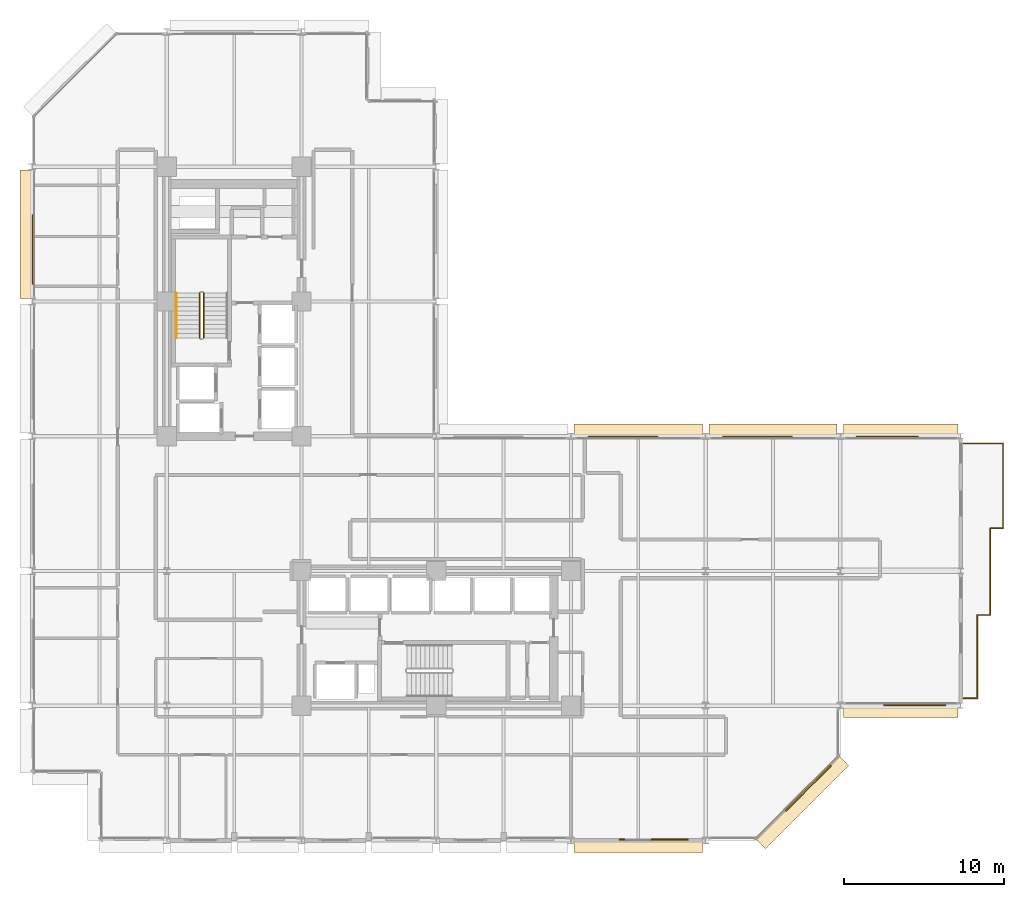
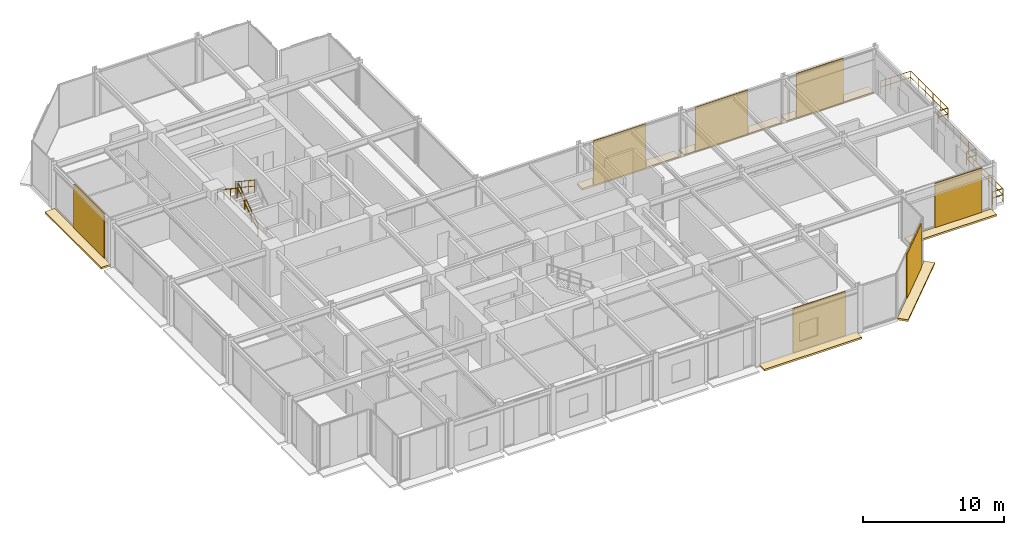
# One storey, part 38 of 39: 14 coverings, 10 railings.
"""IFC4 building model written with IfcOpenShell, lengths in metres."""

import ifcopenshell
import ifcopenshell.guid

model = None  # the IFC model being written
_history = None  # IfcOwnerHistory: only IFC2X3 demands one
_inside = {}  # id of a spatial element -> (the spatial element, [elements in it])
_under = {}  # id of a project, library or spatial element -> (it, [spatial elements below it])
_declared = {}  # id of a project -> (the project, [libraries it declares])
_typed = {}  # id of a type object -> (the type object, [elements of that type])
_made_of = {}  # id of a material, layer set ... -> (it, [elements and type objects made of it])


def new_model(schema):
    """Start an empty IFC model of exactly this schema.

    Asked for "IFC4X3", IfcOpenShell would pick the latest addendum, in which some entities
    have other attributes; the version numbers below select the first issue.
    IFC2X3 requires an IfcOwnerHistory on every rooted entity: one is made here for all.
    """
    global model, _history
    if schema == "IFC4X3":
        model = ifcopenshell.file(schema_version=(4, 3, 0, 0))
    else:
        model = ifcopenshell.file(schema=schema)
    _inside.clear()
    _under.clear()
    _declared.clear()
    _typed.clear()
    _made_of.clear()
    _history = None
    if model.schema == "IFC2X3":
        org = make("IfcOrganization", Name="unknown")
        user = make(
            "IfcPersonAndOrganization",
            ThePerson=make("IfcPerson", FamilyName="unknown"),
            TheOrganization=org,
        )
        app = make(
            "IfcApplication",
            ApplicationDeveloper=org,
            Version="unknown",
            ApplicationFullName="unknown",
            ApplicationIdentifier="unknown",
        )
        _history = make(
            "IfcOwnerHistory",
            OwningUser=user,
            OwningApplication=app,
            ChangeAction="ADDED",
            CreationDate=0,
        )
    return model


def make(cls, **values):
    """One entity of the class cls with the attributes given. An attribute that is None is left unset."""
    return model.create_entity(
        cls, **{name: value for name, value in values.items() if value is not None}
    )


def rooted(cls, **values):
    """An entity with a GlobalId (a new one), such as an element, a storey or a relation."""
    return make(cls, GlobalId=ifcopenshell.guid.new(), OwnerHistory=_history, **values)


def si_unit(unit_type, name, prefix=None):
    """IfcSIUnit, for example si_unit("LENGTHUNIT", "METRE", prefix="MILLI")."""
    return make("IfcSIUnit", UnitType=unit_type, Prefix=prefix, Name=name)


def assignment(units):
    """IfcUnitAssignment: the units of a project."""
    return None if units is None else make("IfcUnitAssignment", Units=units)


def point(xyz):
    """IfcCartesianPoint."""
    return None if xyz is None else make("IfcCartesianPoint", Coordinates=xyz)


def direction(xyz):
    """IfcDirection."""
    return None if xyz is None else make("IfcDirection", DirectionRatios=xyz)


def frame(location, z_axis=None, x_axis=None):
    """IfcAxis2Placement3D, a coordinate frame: its origin and axes. An axis left out is left unset."""
    return make(
        "IfcAxis2Placement3D",
        Location=point(location),
        Axis=direction(z_axis),
        RefDirection=direction(x_axis),
    )


def frame_2d(location, x_axis=None):
    """IfcAxis2Placement2D, a coordinate frame in the plane: its origin and x axis."""
    return make(
        "IfcAxis2Placement2D", Location=point(location), RefDirection=direction(x_axis)
    )


def origin():
    """The frame at (0, 0, 0) with its axes left unset."""
    return frame((0.0, 0.0, 0.0))


def origin_2d():
    """The frame at (0, 0) in the plane with its x axis left unset."""
    return frame_2d((0.0, 0.0))


def place(relative_to, where):
    """IfcLocalPlacement: puts the frame where relative to a parent placement (None: the world)."""
    return make(
        "IfcLocalPlacement", PlacementRelTo=relative_to, RelativePlacement=where
    )


def context(
    kind, dimensions, precision=None, world=None, true_north=None, identifier=None
):
    """IfcGeometricRepresentationContext, for example the 3D "Model" context."""
    return make(
        "IfcGeometricRepresentationContext",
        ContextIdentifier=identifier,
        ContextType=kind,
        CoordinateSpaceDimension=dimensions,
        Precision=precision,
        WorldCoordinateSystem=world,
        TrueNorth=true_north,
    )


def subcontext(parent, identifier, kind, view, scale=None):
    """IfcGeometricRepresentationSubContext, for example "Body" below "Model"."""
    return make(
        "IfcGeometricRepresentationSubContext",
        ContextIdentifier=identifier,
        ContextType=kind,
        ParentContext=parent,
        TargetScale=scale,
        TargetView=view,
    )


def project(units=None, contexts=None):
    """IfcProject with its units and contexts."""
    return rooted(
        "IfcProject",
        Name="project",
        RepresentationContexts=contexts,
        UnitsInContext=assignment(units),
    )


def spatial(cls, under=None, at=None, **own):
    """A site, building, storey or space (cls), placed at a placement, below another one or the project."""
    s = rooted(cls, ObjectPlacement=at, **own)
    if under is not None:
        _under.setdefault(under.id(), (under, []))[1].append(s)
    return s


def polyline(points):
    """IfcPolyline through the points."""
    return make("IfcPolyline", Points=[point(p) for p in points])


def profile(cls, at=None, kind="AREA", **sizes):
    """A parametric profile (cls). Its sizes go by their IFC names, for example OverallWidth=200.0."""
    return make(cls, ProfileType=kind, Position=at, **sizes)


def rectangle(**sizes):
    """IfcRectangleProfileDef."""
    return profile("IfcRectangleProfileDef", **sizes)


def circle(**sizes):
    """IfcCircleProfileDef."""
    return profile("IfcCircleProfileDef", **sizes)


def outline(outer, holes=None, kind="AREA"):
    """IfcArbitraryClosedProfileDef: a profile drawn as a closed curve; with holes, ...WithVoids."""
    if holes is None:
        return make("IfcArbitraryClosedProfileDef", ProfileType=kind, OuterCurve=outer)
    return make(
        "IfcArbitraryProfileDefWithVoids",
        ProfileType=kind,
        OuterCurve=outer,
        InnerCurves=holes,
    )


def extrude(swept, where, along, depth):
    """IfcExtrudedAreaSolid: the profile swept, set in the frame where, extruded along a direction by depth."""
    return make(
        "IfcExtrudedAreaSolid",
        SweptArea=swept,
        Position=where,
        ExtrudedDirection=direction(along),
        Depth=depth,
    )


def shape(context_of_items, identifier, shape_type, items):
    """IfcShapeRepresentation: the items that make up one representation, for example the "Body"."""
    return make(
        "IfcShapeRepresentation",
        ContextOfItems=context_of_items,
        RepresentationIdentifier=identifier,
        RepresentationType=shape_type,
        Items=items,
    )


def material(Name=None, Category=None):
    """IfcMaterial."""
    return make("IfcMaterial", Name=Name, Category=Category)


def layer(
    of_material, thickness, ventilated=None, Name=None, Category=None, Priority=None
):
    """IfcMaterialLayer: one layer of a wall or slab, of a material (None: an air gap)."""
    return make(
        "IfcMaterialLayer",
        Material=of_material,
        LayerThickness=thickness,
        IsVentilated=ventilated,
        Name=Name,
        Category=Category,
        Priority=Priority,
    )


def layer_set(layers, Name=None):
    """IfcMaterialLayerSet."""
    return make("IfcMaterialLayerSet", MaterialLayers=layers, LayerSetName=Name)


def made_of(thing, what):
    """Note that an element or type object is made of a material, layer set ...; save() writes the relation."""
    if what is not None:
        _made_of.setdefault(what.id(), (what, []))[1].append(thing)
    return thing


def type_object(cls, material=None, **own):
    """A type object (cls), such as IfcWallType, which elements share."""
    return made_of(rooted(cls, **own), material)


def element(
    cls,
    number,
    at=None,
    inside=None,
    cuts=None,
    type_object=None,
    material=None,
    context=None,
    identifier="Body",
    shape_type=None,
    held_by="IfcProductDefinitionShape",
    body=None,
    shapes=None,
    **own,
):
    """One element of the class cls, such as IfcWall. Its Tag is "e" and its number.

    at: its placement. inside: the storey or other place that contains it. cuts: it is an
    opening in that element (IfcRelVoidsElement). A single representation is given by context,
    identifier, shape_type and body (its items); several are given by shapes. held_by: the class
    of the entity that holds the representations. save() writes the other relations.
    """
    e = rooted(cls, Tag="e%d" % number, ObjectPlacement=at, **own)
    if body is not None:
        shapes = [shape(context, identifier, shape_type, body)]
    if shapes is not None:
        e.Representation = make(held_by, Representations=shapes)
    if inside is not None:
        _inside.setdefault(inside.id(), (inside, []))[1].append(e)
    if cuts is not None:
        rooted(
            "IfcRelVoidsElement", RelatingBuildingElement=cuts, RelatedOpeningElement=e
        )
    if type_object is not None:
        _typed.setdefault(type_object.id(), (type_object, []))[1].append(e)
    return made_of(e, material)


def aggregate(whole, parts):
    """IfcRelAggregates: a whole, such as a stair, and the parts it consists of."""
    return rooted("IfcRelAggregates", RelatingObject=whole, RelatedObjects=parts)


def save(model, path):
    """Write the relations noted so far, then the file.

    IfcRelAggregates (storeys below a building ...), IfcRelContainedInSpatialStructure (elements
    in a storey), IfcRelDefinesByType, IfcRelAssociatesMaterial and IfcRelDeclares: one each for
    every whole, place, type object, material and project.
    """
    for whole, parts in _under.values():
        aggregate(whole, parts)
    for where, things in _inside.values():
        rooted(
            "IfcRelContainedInSpatialStructure",
            RelatedElements=things,
            RelatingStructure=where,
        )
    for kind, things in _typed.values():
        rooted("IfcRelDefinesByType", RelatedObjects=things, RelatingType=kind)
    for what, things in _made_of.values():
        rooted("IfcRelAssociatesMaterial", RelatedObjects=things, RelatingMaterial=what)
    for by, libraries in _declared.values():
        rooted("IfcRelDeclares", RelatingContext=by, RelatedDefinitions=libraries)
    model.write(path)


model = new_model("IFC4")

# Units and contexts
model_context = context("Model", 3, precision=1e-05, world=origin(), true_north=direction((0.0, 1.0)))
body_context = subcontext(model_context, "Body", "Model", "MODEL_VIEW")
ifc_project = project(units=[si_unit("LENGTHUNIT", "METRE"), si_unit("AREAUNIT", "SQUARE_METRE"), si_unit("VOLUMEUNIT", "CUBIC_METRE"), si_unit("PLANEANGLEUNIT", "RADIAN"), si_unit("MASSUNIT", "GRAM", prefix="KILO")], contexts=[model_context])

# Site, building, storey
site_placement = place(None, origin())
site = spatial("IfcSite", under=ifc_project, at=site_placement, CompositionType="ELEMENT")
building_placement = place(site_placement, origin())
building = spatial("IfcBuilding", under=site, at=building_placement, Name="Nerrivon Quay Data Exchange", CompositionType="ELEMENT")
storey_placement = place(building_placement, frame((0.0, 0.0, 104.89990234375)))
storey = spatial("IfcBuildingStorey", under=building, at=storey_placement, Name="L24", CompositionType="ELEMENT", Elevation=104.89990234375)

# Coverings
ifc_material_1 = material(Name="Architectural terracotta ceramic", Category="masonry")
ifc_layer_1 = layer(ifc_material_1, 0.159912109375)
ifc_layer_set_1 = layer_set([ifc_layer_1], Name="Architectural terracotta ceramic")
covering_type_1 = type_object("IfcCoveringType", Name="COV-BLD-TERR", PredefinedType="CLADDING", material=ifc_layer_set_1)
covering_1_placement = place(storey_placement, frame((0.0, 0.0, -0.159912109375)))
element("IfcCovering", 1, at=covering_1_placement, inside=storey, type_object=covering_type_1, Name="L24 Horizontal Terracotta SOLAR SCREEN Blade", PredefinedType="CLADDING", context=body_context, shape_type="SweptSolid", body=[
    extrude(outline(polyline([(57.744384765625, 8.43994140625), (50.60009765625, 8.43994140625), (50.60009765625, 7.64990234375), (57.744384765625, 7.64990234375), (57.744384765625, 8.43994140625)])), origin(), (0.0, 0.0, 1.0), 0.159912109375),
])
covering_2_placement = place(storey_placement, frame((0.0, 0.0, -0.159912109375)))
element("IfcCovering", 2, at=covering_2_placement, inside=storey, type_object=covering_type_1, Name="L24 Horizontal Terracotta SOLAR SCREEN Blade", PredefinedType="CLADDING", context=body_context, shape_type="SweptSolid", body=[
    extrude(outline(polyline([(50.37158203125, 5.228271484375), (45.171630859375, 0.0283203125), (45.730224609375, -0.5302734375), (50.930419921875, 4.669677734375), (50.37158203125, 5.228271484375)])), origin(), (0.0, 0.0, 1.0), 0.159912109375),
])
covering_3_placement = place(storey_placement, frame((0.0, 0.0, -0.159912109375)))
element("IfcCovering", 3, at=covering_3_placement, inside=storey, type_object=covering_type_1, Name="L24 Horizontal Terracotta SOLAR SCREEN Blade", PredefinedType="CLADDING", context=body_context, shape_type="SweptSolid", body=[
    extrude(outline(polyline([(41.800048828125, 0.0400390625), (33.800048828125, 0.0400390625), (33.800048828125, -0.75), (41.800048828125, -0.75), (41.800048828125, 0.0400390625)])), origin(), (0.0, 0.0, 1.0), 0.159912109375),
])
covering_4_placement = place(storey_placement, frame((0.0, 0.0, -0.159912109375)))
element("IfcCovering", 4, at=covering_4_placement, inside=storey, type_object=covering_type_1, Name="L24 Horizontal Terracotta SOLAR SCREEN Blade", PredefinedType="CLADDING", context=body_context, shape_type="SweptSolid", body=[
    extrude(outline(polyline([(0.0400390625, 33.800048828125), (0.0400390625, 41.800048828125), (-0.75, 41.800048828125), (-0.75, 33.800048828125), (0.0400390625, 33.800048828125)])), origin(), (0.0, 0.0, 1.0), 0.159912109375),
])
covering_5_placement = place(storey_placement, frame((0.0, 0.0, -0.159912109375)))
element("IfcCovering", 5, at=covering_5_placement, inside=storey, type_object=covering_type_1, Name="L24 Horizontal Terracotta SOLAR SCREEN Blade", PredefinedType="CLADDING", context=body_context, shape_type="SweptSolid", body=[
    extrude(outline(polyline([(33.800048828125, 25.159912109375), (41.800048828125, 25.159912109375), (41.800048828125, 25.949951171875), (33.800048828125, 25.949951171875), (33.800048828125, 25.159912109375)])), origin(), (0.0, 0.0, 1.0), 0.159912109375),
])
covering_6_placement = place(storey_placement, frame((0.0, 0.0, -0.159912109375)))
element("IfcCovering", 6, at=covering_6_placement, inside=storey, type_object=covering_type_1, Name="L24 Horizontal Terracotta SOLAR SCREEN Blade", PredefinedType="CLADDING", context=body_context, shape_type="SweptSolid", body=[
    extrude(outline(polyline([(42.199951171875, 25.159912109375), (50.199951171875, 25.159912109375), (50.199951171875, 25.949951171875), (42.199951171875, 25.949951171875), (42.199951171875, 25.159912109375)])), origin(), (0.0, 0.0, 1.0), 0.159912109375),
])
covering_7_placement = place(storey_placement, frame((0.0, 0.0, -0.159912109375)))
element("IfcCovering", 7, at=covering_7_placement, inside=storey, type_object=covering_type_1, Name="L24 Horizontal Terracotta SOLAR SCREEN Blade", PredefinedType="CLADDING", context=body_context, shape_type="SweptSolid", body=[
    extrude(outline(polyline([(50.60009765625, 25.159912109375), (57.744384765625, 25.159912109375), (57.744384765625, 25.949951171875), (50.60009765625, 25.949951171875), (50.60009765625, 25.159912109375)])), origin(), (0.0, 0.0, 1.0), 0.159912109375),
])
ifc_layer_2 = layer(ifc_material_1, 0.090087890625)
ifc_layer_set_2 = layer_set([ifc_layer_2], Name="Architectural terracotta ceramic")
covering_type_2 = type_object("IfcCoveringType", Name="COV-SCR-TERR", PredefinedType="CLADDING", material=ifc_layer_set_2)
covering_8_placement = place(storey_placement, frame((55.029541015625, 8.445068359375, 0.0), z_axis=(0.0, 0.0, 1.0), x_axis=(-1.0, 0.0, 0.0)))
element("IfcCovering", 8, at=covering_8_placement, inside=storey, type_object=covering_type_2, Name="L24 Perforated Terracotta SOLAR SCREEN Cassette", PredefinedType="CLADDING", context=body_context, shape_type="SweptSolid", body=[
    extrude(rectangle(XDim=3.85791015625, YDim=0.090087890625, at=origin_2d()), origin(), (0.0, 0.0, 1.0), 3.824951171875),
])
covering_9_placement = place(storey_placement, frame((48.39208984375, 3.255859375, 0.0), z_axis=(0.0, 0.0, 1.0), x_axis=(-0.707106781187, -0.707106781187, 0.0)))
element("IfcCovering", 9, at=covering_9_placement, inside=storey, type_object=covering_type_2, Name="L24 Perforated Terracotta SOLAR SCREEN Cassette", PredefinedType="CLADDING", context=body_context, shape_type="SweptSolid", body=[
    extrude(rectangle(XDim=3.970947265625, YDim=0.090087890625, at=origin_2d()), origin(), (0.0, 0.0, 1.0), 3.824951171875),
])
for number, where, z_axis, x_axis, name in (
    (10, (38.760009765625, 0.044921875, 0.0), (0.0, 0.0, 1.0), (-1.0, 0.0, 0.0), "L24 Perforated Terracotta SOLAR SCREEN Cassette"),
    (11, (0.044921875, 36.840087890625, 0.0), (0.0, 0.0, 1.0), (0.0, 1.0, 0.0), "L24 Perforated Terracotta SOLAR SCREEN Cassette"),
    (12, (36.840087890625, 25.155029296875, 0.0), (0.0, 0.0, 1.0), (1.0, 0.0, 0.0), "L24 Perforated Terracotta SOLAR SCREEN Cassette"),
    (13, (45.239990234375, 25.155029296875, 0.0), (0.0, 0.0, 1.0), (1.0, 0.0, 0.0), "L24 Perforated Terracotta SOLAR SCREEN Cassette"),
):
    element("IfcCovering", number, at=place(storey_placement, frame(where, z_axis=z_axis, x_axis=x_axis)), inside=storey, type_object=covering_type_2, Name=name, PredefinedType="CLADDING", context=body_context, shape_type="SweptSolid", body=[
        extrude(rectangle(XDim=4.320068359375, YDim=0.090087890625, at=origin_2d()), origin(), (0.0, 0.0, 1.0), 3.824951171875),
    ])
covering_10_placement = place(storey_placement, frame((53.31494140625, 25.155029296875, 0.0), z_axis=(0.0, 0.0, 1.0), x_axis=(1.0, 0.0, 0.0)))
element("IfcCovering", 14, at=covering_10_placement, inside=storey, type_object=covering_type_2, Name="L24 Perforated Terracotta SOLAR SCREEN Cassette", PredefinedType="CLADDING", context=body_context, shape_type="SweptSolid", body=[
    extrude(rectangle(XDim=3.85791015625, YDim=0.090087890625, at=origin_2d()), origin(), (0.0, 0.0, 1.0), 3.824951171875),
])

# Railings
ifc_material_2 = material(Name="Steel Grade C350L0 (350 MPa)", Category="steel")
railing_type_1 = type_object("IfcRailingType", Name="RAIL-GUARD-GR2", PredefinedType="BALUSTRADE", material=ifc_material_2)
railing_1_placement = place(storey_placement, frame((58.93994140625, 14.06005859375, 0.0)))
element("IfcRailing", 15, at=railing_1_placement, inside=storey, type_object=railing_type_1, Name="L24 Verandah Balcony Guard 1.1 1", PredefinedType="BALUSTRADE", context=body_context, shape_type="SweptSolid", body=[
    extrude(circle(Radius=0.02392578125, at=origin_2d()), frame((0.0, 0.0, 1.09619140625), z_axis=(0.0, -1.0, 0.0), x_axis=(1.0, 0.0, 0.0)), (0.0, 0.0, 1.0), 5.199951171875),
    extrude(circle(Radius=0.02392578125, at=origin_2d()), frame((0.0, 0.0, 0.56005859375), z_axis=(0.0, -1.0, 0.0), x_axis=(1.0, 0.0, 0.0)), (0.0, 0.0, 1.0), 5.199951171875),
    extrude(circle(Radius=0.02099609375, at=origin_2d()), origin(), (0.0, 0.0, 1.0), 1.072021484375),
    extrude(circle(Radius=0.02099609375, at=origin_2d()), frame((0.0, -1.0400390625, 0.0)), (0.0, 0.0, 1.0), 1.072021484375),
    extrude(circle(Radius=0.02099609375, at=origin_2d()), frame((0.0, -2.080078125, 0.0)), (0.0, 0.0, 1.0), 1.072021484375),
    extrude(circle(Radius=0.02099609375, at=origin_2d()), frame((0.0, -3.119873046875, 0.0)), (0.0, 0.0, 1.0), 1.072021484375),
    extrude(circle(Radius=0.02099609375, at=origin_2d()), frame((0.0, -4.159912109375, 0.0)), (0.0, 0.0, 1.0), 1.072021484375),
    extrude(circle(Radius=0.02099609375, at=origin_2d()), frame((0.0, -5.199951171875, 0.0)), (0.0, 0.0, 1.0), 1.072021484375),
])
railing_2_placement = place(storey_placement, frame((58.93994140625, 8.860107421875, 0.0)))
element("IfcRailing", 16, at=railing_2_placement, inside=storey, type_object=railing_type_1, Name="L24 Verandah Balcony Guard 1.2 1", PredefinedType="BALUSTRADE", context=body_context, shape_type="SweptSolid", body=[
    extrude(circle(Radius=0.02392578125, at=origin_2d()), frame((0.0, 0.0, 1.09619140625), z_axis=(-1.0, 0.0, 0.0), x_axis=(0.0, -1.0, 0.0)), (0.0, 0.0, 1.0), 0.85986328125),
    extrude(circle(Radius=0.02392578125, at=origin_2d()), frame((0.0, 0.0, 0.56005859375), z_axis=(-1.0, 0.0, 0.0), x_axis=(0.0, -1.0, 0.0)), (0.0, 0.0, 1.0), 0.85986328125),
    extrude(circle(Radius=0.02099609375, at=origin_2d()), origin(), (0.0, 0.0, 1.0), 1.072021484375),
    extrude(circle(Radius=0.02099609375, at=origin_2d()), frame((-0.85986328125, 0.0, 0.0)), (0.0, 0.0, 1.0), 1.072021484375),
])
railing_3_placement = place(storey_placement, frame((58.080078125, 24.739990234375, 0.0)))
element("IfcRailing", 17, at=railing_3_placement, inside=storey, type_object=railing_type_1, Name="L24 Verandah Balcony Guard 1.3 1", PredefinedType="BALUSTRADE", context=body_context, shape_type="SweptSolid", body=[
    extrude(circle(Radius=0.02392578125, at=origin_2d()), frame((0.0, 0.0, 1.09619140625), z_axis=(1.0, 0.0, 0.0), x_axis=(0.0, 1.0, 0.0)), (0.0, 0.0, 1.0), 2.4599609375),
    extrude(circle(Radius=0.02392578125, at=origin_2d()), frame((0.0, 0.0, 0.56005859375), z_axis=(1.0, 0.0, 0.0), x_axis=(0.0, 1.0, 0.0)), (0.0, 0.0, 1.0), 2.4599609375),
    extrude(circle(Radius=0.02099609375, at=origin_2d()), origin(), (0.0, 0.0, 1.0), 1.072021484375),
    extrude(circle(Radius=0.02099609375, at=origin_2d()), frame((0.820068359375, 0.0, 0.0)), (0.0, 0.0, 1.0), 1.072021484375),
    extrude(circle(Radius=0.02099609375, at=origin_2d()), frame((1.639892578125, 0.0, 0.0)), (0.0, 0.0, 1.0), 1.072021484375),
    extrude(circle(Radius=0.02099609375, at=origin_2d()), frame((2.4599609375, 0.0, 0.0)), (0.0, 0.0, 1.0), 1.072021484375),
])
railing_4_placement = place(storey_placement, frame((60.5400390625, 24.739990234375, 0.0)))
element("IfcRailing", 18, at=railing_4_placement, inside=storey, type_object=railing_type_1, Name="L24 Verandah Balcony Guard 1.4 1", PredefinedType="BALUSTRADE", context=body_context, shape_type="SweptSolid", body=[
    extrude(circle(Radius=0.02392578125, at=origin_2d()), frame((0.0, 0.0, 1.09619140625), z_axis=(0.0, -1.0, 0.0), x_axis=(1.0, 0.0, 0.0)), (0.0, 0.0, 1.0), 5.280029296875),
    extrude(circle(Radius=0.02392578125, at=origin_2d()), frame((0.0, 0.0, 0.56005859375), z_axis=(0.0, -1.0, 0.0), x_axis=(1.0, 0.0, 0.0)), (0.0, 0.0, 1.0), 5.280029296875),
    extrude(circle(Radius=0.02099609375, at=origin_2d()), origin(), (0.0, 0.0, 1.0), 1.072021484375),
    extrude(circle(Radius=0.02099609375, at=origin_2d()), frame((0.0, -1.055908203125, 0.0)), (0.0, 0.0, 1.0), 1.072021484375),
    extrude(circle(Radius=0.02099609375, at=origin_2d()), frame((0.0, -2.112060546875, 0.0)), (0.0, 0.0, 1.0), 1.072021484375),
    extrude(circle(Radius=0.02099609375, at=origin_2d()), frame((0.0, -3.16796875, 0.0)), (0.0, 0.0, 1.0), 1.072021484375),
    extrude(circle(Radius=0.02099609375, at=origin_2d()), frame((0.0, -4.22412109375, 0.0)), (0.0, 0.0, 1.0), 1.072021484375),
    extrude(circle(Radius=0.02099609375, at=origin_2d()), frame((0.0, -5.280029296875, 0.0)), (0.0, 0.0, 1.0), 1.072021484375),
])
railing_5_placement = place(storey_placement, frame((60.5400390625, 19.4599609375, 0.0)))
element("IfcRailing", 19, at=railing_5_placement, inside=storey, type_object=railing_type_1, Name="L24 Verandah Balcony Guard 1.5 1", PredefinedType="BALUSTRADE", context=body_context, shape_type="SweptSolid", body=[
    extrude(circle(Radius=0.02392578125, at=origin_2d()), frame((0.0, 0.0, 1.09619140625), z_axis=(-1.0, 0.0, 0.0), x_axis=(0.0, -1.0, 0.0)), (0.0, 0.0, 1.0), 0.800048828125),
    extrude(circle(Radius=0.02392578125, at=origin_2d()), frame((0.0, 0.0, 0.56005859375), z_axis=(-1.0, 0.0, 0.0), x_axis=(0.0, -1.0, 0.0)), (0.0, 0.0, 1.0), 0.800048828125),
    extrude(circle(Radius=0.02099609375, at=origin_2d()), origin(), (0.0, 0.0, 1.0), 1.072021484375),
    extrude(circle(Radius=0.02099609375, at=origin_2d()), frame((-0.800048828125, 0.0, 0.0)), (0.0, 0.0, 1.0), 1.072021484375),
])
railing_6_placement = place(storey_placement, frame((59.739990234375, 19.4599609375, 0.0)))
element("IfcRailing", 20, at=railing_6_placement, inside=storey, type_object=railing_type_1, Name="L24 Verandah Balcony Guard 1.6 1", PredefinedType="BALUSTRADE", context=body_context, shape_type="SweptSolid", body=[
    extrude(circle(Radius=0.02392578125, at=origin_2d()), frame((0.0, 0.0, 1.09619140625), z_axis=(0.0, -1.0, 0.0), x_axis=(1.0, 0.0, 0.0)), (0.0, 0.0, 1.0), 5.39990234375),
    extrude(circle(Radius=0.02392578125, at=origin_2d()), frame((0.0, 0.0, 0.56005859375), z_axis=(0.0, -1.0, 0.0), x_axis=(1.0, 0.0, 0.0)), (0.0, 0.0, 1.0), 5.39990234375),
    extrude(circle(Radius=0.02099609375, at=origin_2d()), origin(), (0.0, 0.0, 1.0), 1.072021484375),
    extrude(circle(Radius=0.02099609375, at=origin_2d()), frame((0.0, -1.080078125, 0.0)), (0.0, 0.0, 1.0), 1.072021484375),
    extrude(circle(Radius=0.02099609375, at=origin_2d()), frame((0.0, -2.159912109375, 0.0)), (0.0, 0.0, 1.0), 1.072021484375),
    extrude(circle(Radius=0.02099609375, at=origin_2d()), frame((0.0, -3.239990234375, 0.0)), (0.0, 0.0, 1.0), 1.072021484375),
    extrude(circle(Radius=0.02099609375, at=origin_2d()), frame((0.0, -4.31982421875, 0.0)), (0.0, 0.0, 1.0), 1.072021484375),
    extrude(circle(Radius=0.02099609375, at=origin_2d()), frame((0.0, -5.39990234375, 0.0)), (0.0, 0.0, 1.0), 1.072021484375),
])
railing_7_placement = place(storey_placement, frame((59.739990234375, 14.06005859375, 0.0)))
element("IfcRailing", 21, at=railing_7_placement, inside=storey, type_object=railing_type_1, Name="L24 Verandah Balcony Guard 1.7 1", PredefinedType="BALUSTRADE", context=body_context, shape_type="SweptSolid", body=[
    extrude(circle(Radius=0.02392578125, at=origin_2d()), frame((0.0, 0.0, 1.09619140625), z_axis=(-1.0, 0.0, 0.0), x_axis=(0.0, -1.0, 0.0)), (0.0, 0.0, 1.0), 0.800048828125),
    extrude(circle(Radius=0.02392578125, at=origin_2d()), frame((0.0, 0.0, 0.56005859375), z_axis=(-1.0, 0.0, 0.0), x_axis=(0.0, -1.0, 0.0)), (0.0, 0.0, 1.0), 0.800048828125),
    extrude(circle(Radius=0.02099609375, at=origin_2d()), origin(), (0.0, 0.0, 1.0), 1.072021484375),
    extrude(circle(Radius=0.02099609375, at=origin_2d()), frame((-0.800048828125, 0.0, 0.0)), (0.0, 0.0, 1.0), 1.072021484375),
])
railing_type_2 = type_object("IfcRailingType", Name="RAIL-HAND-HR1", PredefinedType="HANDRAIL", material=ifc_material_2)
railing_8_placement = place(storey_placement, frame((9.0, 34.1298828125, 2.236572265625)))
element("IfcRailing", 22, at=railing_8_placement, inside=storey, type_object=railing_type_2, Name="L24 ST01 stair handrail 2", PredefinedType="HANDRAIL", context=body_context, shape_type="SweptSolid", body=[
    extrude(circle(Radius=0.02392578125, at=origin_2d()), frame((0.0, 0.0, 0.8759765625), z_axis=(0.0, -0.832463268671, 0.554080234545), x_axis=(1.0, 0.0, 0.0)), (0.0, 0.0, 1.0), 3.36328125),
    extrude(circle(Radius=0.02099609375, at=origin_2d()), origin(), (0.0, 0.0, 1.0), 0.851806640625),
    extrude(circle(Radius=0.02099609375, at=origin_2d()), frame((0.0, -0.933349609375, 0.62109375)), (0.0, 0.0, 1.0), 0.851806640625),
    extrude(circle(Radius=0.02099609375, at=origin_2d()), frame((0.0, -1.866455078125, 1.242431640625)), (0.0, 0.0, 1.0), 0.851806640625),
    extrude(circle(Radius=0.02099609375, at=origin_2d()), frame((0.0, -2.7998046875, 1.863525390625)), (0.0, 0.0, 1.0), 0.851806640625),
])
railing_type_3 = type_object("IfcRailingType", Name="RAIL-STAIR-GR1", PredefinedType="BALUSTRADE", material=ifc_material_2)
railing_9_placement = place(storey_placement, frame((10.699951171875, 31.330078125, 0.1865234375)))
element("IfcRailing", 23, at=railing_9_placement, inside=storey, type_object=railing_type_3, Name="L24 ST01 stair guard 1", PredefinedType="BALUSTRADE", context=body_context, shape_type="SweptSolid", body=[
    extrude(circle(Radius=0.02392578125, at=origin_2d()), frame((0.0, 0.0, 1.076171875), z_axis=(0.0, 0.832463268671, 0.554080234545), x_axis=(-1.0, 0.0, 0.0)), (0.0, 0.0, 1.0), 3.36328125),
    extrude(circle(Radius=0.02392578125, at=origin_2d()), frame((0.0, 0.0, 0.550048828125), z_axis=(0.0, 0.832463268671, 0.554080234545), x_axis=(-1.0, 0.0, 0.0)), (0.0, 0.0, 1.0), 3.36328125),
    extrude(circle(Radius=0.02099609375, at=origin_2d()), origin(), (0.0, 0.0, 1.0), 1.052001953125),
    extrude(circle(Radius=0.02099609375, at=origin_2d()), frame((0.0, 0.933349609375, 0.62109375)), (0.0, 0.0, 1.0), 1.052001953125),
    extrude(circle(Radius=0.02099609375, at=origin_2d()), frame((0.0, 1.866455078125, 1.242431640625)), (0.0, 0.0, 1.0), 1.052001953125),
    extrude(circle(Radius=0.02099609375, at=origin_2d()), frame((0.0, 2.7998046875, 1.863525390625)), (0.0, 0.0, 1.0), 1.052001953125),
])
railing_10_placement = place(storey_placement, frame((10.449951171875, 34.1298828125, 2.236572265625)))
element("IfcRailing", 24, at=railing_10_placement, inside=storey, type_object=railing_type_3, Name="L24 ST01 stair guard 3", PredefinedType="BALUSTRADE", context=body_context, shape_type="SweptSolid", body=[
    extrude(circle(Radius=0.02392578125, at=origin_2d()), frame((0.0, 0.0, 1.076171875), z_axis=(0.0, -0.832463268671, 0.554080234545), x_axis=(1.0, 0.0, 0.0)), (0.0, 0.0, 1.0), 3.36328125),
    extrude(circle(Radius=0.02392578125, at=origin_2d()), frame((0.0, 0.0, 0.550048828125), z_axis=(0.0, -0.832463268671, 0.554080234545), x_axis=(1.0, 0.0, 0.0)), (0.0, 0.0, 1.0), 3.36328125),
    extrude(circle(Radius=0.02099609375, at=origin_2d()), origin(), (0.0, 0.0, 1.0), 1.052001953125),
    extrude(circle(Radius=0.02099609375, at=origin_2d()), frame((0.0, -0.933349609375, 0.62109375)), (0.0, 0.0, 1.0), 1.052001953125),
    extrude(circle(Radius=0.02099609375, at=origin_2d()), frame((0.0, -1.866455078125, 1.242431640625)), (0.0, 0.0, 1.0), 1.052001953125),
    extrude(circle(Radius=0.02099609375, at=origin_2d()), frame((0.0, -2.7998046875, 1.863525390625)), (0.0, 0.0, 1.0), 1.052001953125),
])

save(model, "model.ifc")
